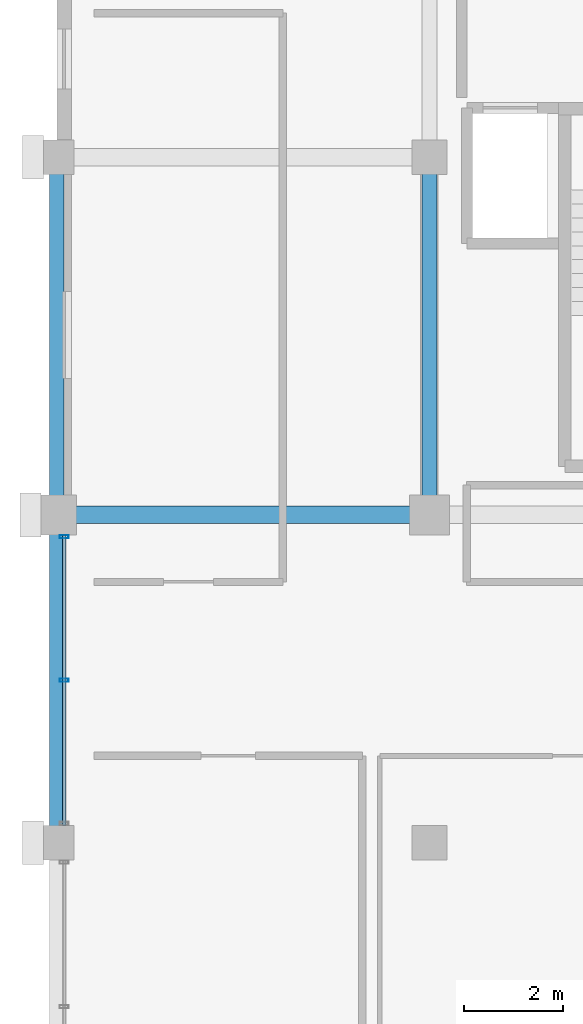
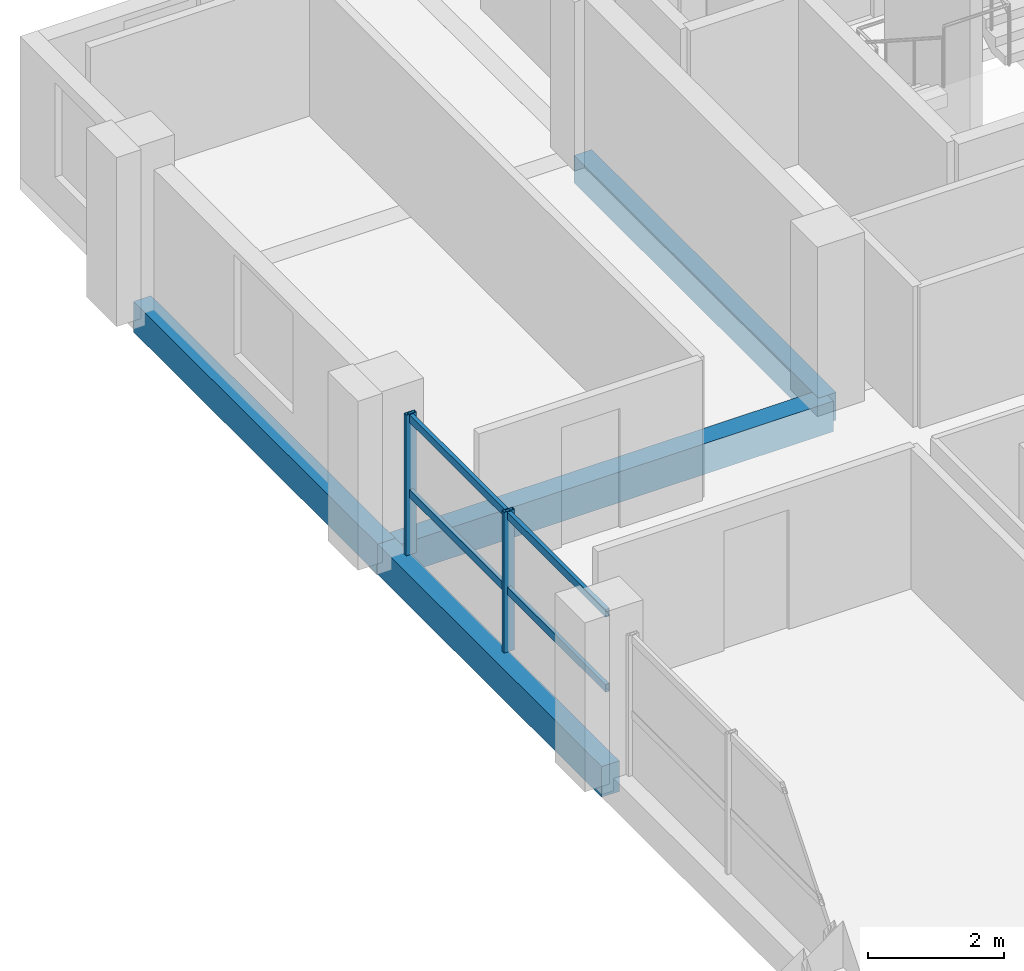
# One storey, part 7 of 24: 4 beams, 4 members, 1 element without a shape of its own.
"""IFC4 building model written with IfcOpenShell, lengths in metres."""

from ifc_helpers import new_model, si_unit, direction, frame, origin, origin_2d, place, context, subcontext, project, spatial, rectangle, hollow_rectangle, extrude, material, material_profile, profile_set, type_object, element, aggregate, save


model = new_model("IFC4")

# Units and contexts
model_context = context("Model", 3, precision=1e-05, world=origin(), true_north=direction((0.0, 1.0)))
body_context = subcontext(model_context, "Body", "Model", "MODEL_VIEW")
ifc_project = project(units=[si_unit("LENGTHUNIT", "METRE"), si_unit("AREAUNIT", "SQUARE_METRE"), si_unit("VOLUMEUNIT", "CUBIC_METRE"), si_unit("PLANEANGLEUNIT", "RADIAN"), si_unit("MASSUNIT", "GRAM", prefix="KILO")], contexts=[model_context])

# Site, building, storey
site_placement = place(None, origin())
site = spatial("IfcSite", under=ifc_project, at=site_placement, CompositionType="ELEMENT")
building_placement = place(site_placement, origin())
building = spatial("IfcBuilding", under=site, at=building_placement, Name="Akrevak Sports Hall", CompositionType="ELEMENT")
storey_placement = place(building_placement, frame((0.0, 0.0, 56.800048828125)))
storey = spatial("IfcBuildingStorey", under=building, at=storey_placement, Name="L14", CompositionType="ELEMENT", Elevation=56.800048828125)

# Curtain wall, members
ifc_material_1 = material(Name="Anodized Bronze Aluminium & Low-E Glass", Category="aluminium")
curtain_wall_type = type_object("IfcCurtainWallType", Name="ARC-CW-TWR-64x30", PredefinedType="NOTDEFINED", material=ifc_material_1)
curtain_wall_placement = place(storey_placement, origin())
curtain_wall = element("IfcCurtainWall", 1, at=curtain_wall_placement, inside=storey, type_object=curtain_wall_type, Name="Curtain Wall CW-L14-W28", PredefinedType="NOTDEFINED")
ifc_material_2 = material(Name="Anodized Bronze Aluminium", Category="aluminium")
ifc_material_profile_1 = material_profile(ifc_material_2, hollow_rectangle(XDim=0.06494140625, YDim=0.179931640625, WallThickness=0.00390625, at=origin_2d()), Name="CWM 65x180", Category="aluminium")
ifc_profile_set_1 = profile_set([ifc_material_profile_1], Name="Anodized Bronze Aluminium")
member_type_1 = type_object("IfcMemberType", Name="ARC-CWM-65x140", PredefinedType="MULLION", material=ifc_profile_set_1)
member_1_placement = place(storey_placement, frame((52.64990234375, 54.760009765625, 0.0), z_axis=(0.0, 0.0, 1.0), x_axis=(0.0, -1.0, 0.0)))
member_1 = element("IfcMember", 2, at=member_1_placement, type_object=member_type_1, Name="Curtain Wall Mullion CW-L14-W28-M1", PredefinedType="MULLION", context=body_context, shape_type="SweptSolid", body=[
    extrude(hollow_rectangle(XDim=0.06494140625, YDim=0.179931640625, WallThickness=0.00390625, at=origin_2d()), origin(), (0.0, 0.0, 1.0), 2.530029296875),
])
member_2_placement = place(storey_placement, frame((52.64990234375, 51.875, 0.0), z_axis=(0.0, 0.0, 1.0), x_axis=(0.0, -1.0, 0.0)))
member_2 = element("IfcMember", 3, at=member_2_placement, type_object=member_type_1, Name="Curtain Wall Mullion CW-L14-W28-M2", PredefinedType="MULLION", context=body_context, shape_type="SweptSolid", body=[
    extrude(hollow_rectangle(XDim=0.06494140625, YDim=0.179931640625, WallThickness=0.00390625, at=origin_2d()), origin(), (0.0, 0.0, 1.0), 2.530029296875),
])
ifc_material_profile_2 = material_profile(ifc_material_2, hollow_rectangle(XDim=0.06494140625, YDim=0.139892578125, WallThickness=0.00390625, at=origin_2d()), Name="CWT 65x140", Category="aluminium")
ifc_profile_set_2 = profile_set([ifc_material_profile_2], Name="Anodized Bronze Aluminium")
member_type_2 = type_object("IfcMemberType", Name="ARC-CWT-65x110", PredefinedType="USERDEFINED", material=ifc_profile_set_2)
member_3_placement = place(storey_placement, frame((52.64990234375, 54.800048828125, 1.099853515625), z_axis=(0.0, -1.0, 0.0), x_axis=(1.0, 0.0, 0.0)))
member_3 = element("IfcMember", 4, at=member_3_placement, type_object=member_type_2, Name="Curtain Wall Transom CW-L14-W28-T1", ObjectType="TRANSOM", PredefinedType="USERDEFINED", context=body_context, shape_type="SweptSolid", body=[
    extrude(hollow_rectangle(XDim=0.06494140625, YDim=0.139892578125, WallThickness=0.00390625, at=origin_2d()), origin(), (0.0, 0.0, 1.0), 5.85009765625),
])
member_4_placement = place(storey_placement, frame((52.64990234375, 54.800048828125, 2.449951171875), z_axis=(0.0, -1.0, 0.0), x_axis=(1.0, 0.0, 0.0)))
member_4 = element("IfcMember", 5, at=member_4_placement, type_object=member_type_2, Name="Curtain Wall Transom CW-L14-W28-T2", ObjectType="TRANSOM", PredefinedType="USERDEFINED", context=body_context, shape_type="SweptSolid", body=[
    extrude(hollow_rectangle(XDim=0.06494140625, YDim=0.139892578125, WallThickness=0.00390625, at=origin_2d()), origin(), (0.0, 0.0, 1.0), 5.85009765625),
])
aggregate(curtain_wall, [member_1, member_2, member_3, member_4])

# Beams
ifc_material_3 = material(Name="Concrete C40/50", Category="concrete")
ifc_material_profile_3 = material_profile(ifc_material_3, rectangle(XDim=0.300048828125, YDim=0.5, at=origin_2d()), Name="BM 300x500", Category="concrete")
ifc_profile_set_3 = profile_set([ifc_material_profile_3], Name="Concrete C40/50")
beam_type_1 = type_object("IfcBeamType", Name="STR-BM-RC300x500", PredefinedType="BEAM", material=ifc_profile_set_3)
beam_1_placement = place(storey_placement, frame((60.0, 55.199951171875, -0.25), z_axis=(0.0, 1.0, 0.0), x_axis=(-1.0, 0.0, 0.0)))
element("IfcBeam", 6, at=beam_1_placement, inside=storey, type_object=beam_type_1, Name="Girder 9/I-J (L14)", PredefinedType="BEAM", context=body_context, shape_type="SweptSolid", body=[
    extrude(rectangle(XDim=0.300048828125, YDim=0.5, at=origin_2d()), origin(), (0.0, 0.0, 1.0), 7.199951171875),
])
ifc_material_profile_4 = material_profile(ifc_material_3, rectangle(XDim=0.300048828125, YDim=0.550048828125, at=origin_2d()), Name="BM 300x550", Category="concrete")
ifc_profile_set_4 = profile_set([ifc_material_profile_4], Name="Concrete C40/50")
beam_type_2 = type_object("IfcBeamType", Name="STR-BM-RC300x550", PredefinedType="BEAM", material=ifc_profile_set_4)
beam_2_placement = place(storey_placement, frame((52.5, 48.60009765625, -0.275146484375), z_axis=(0.0, 1.0, 0.0), x_axis=(-1.0, 0.0, 0.0)))
element("IfcBeam", 7, at=beam_2_placement, inside=storey, type_object=beam_type_2, Name="Girder 8/H-I (L14)", PredefinedType="BEAM", context=body_context, shape_type="SweptSolid", body=[
    extrude(rectangle(XDim=0.300048828125, YDim=0.550048828125, at=origin_2d()), origin(), (0.0, 0.0, 1.0), 6.599853515625),
])
beam_3_placement = place(storey_placement, frame((52.5, 55.199951171875, -0.275146484375), z_axis=(0.0, 1.0, 0.0), x_axis=(-1.0, 0.0, 0.0)))
element("IfcBeam", 8, at=beam_3_placement, inside=storey, type_object=beam_type_2, Name="Girder 8/I-J (L14)", PredefinedType="BEAM", context=body_context, shape_type="SweptSolid", body=[
    extrude(rectangle(XDim=0.300048828125, YDim=0.550048828125, at=origin_2d()), origin(), (0.0, 0.0, 1.0), 7.199951171875),
])
ifc_material_profile_5 = material_profile(ifc_material_3, rectangle(XDim=0.35009765625, YDim=0.550048828125, at=origin_2d()), Name="BM 350x550", Category="concrete")
ifc_profile_set_5 = profile_set([ifc_material_profile_5], Name="Concrete C40/50")
beam_type_3 = type_object("IfcBeamType", Name="STR-BM-RC350x550", PredefinedType="BEAM", material=ifc_profile_set_5)
beam_4_placement = place(storey_placement, frame((52.5, 55.199951171875, -0.275146484375), z_axis=(1.0, 0.0, 0.0), x_axis=(0.0, 1.0, 0.0)))
element("IfcBeam", 9, at=beam_4_placement, inside=storey, type_object=beam_type_3, Name="Girder I/8-9 (L14)", PredefinedType="BEAM", context=body_context, shape_type="SweptSolid", body=[
    extrude(rectangle(XDim=0.35009765625, YDim=0.550048828125, at=origin_2d()), origin(), (0.0, 0.0, 1.0), 7.5),
])

save(model, "model.ifc")
